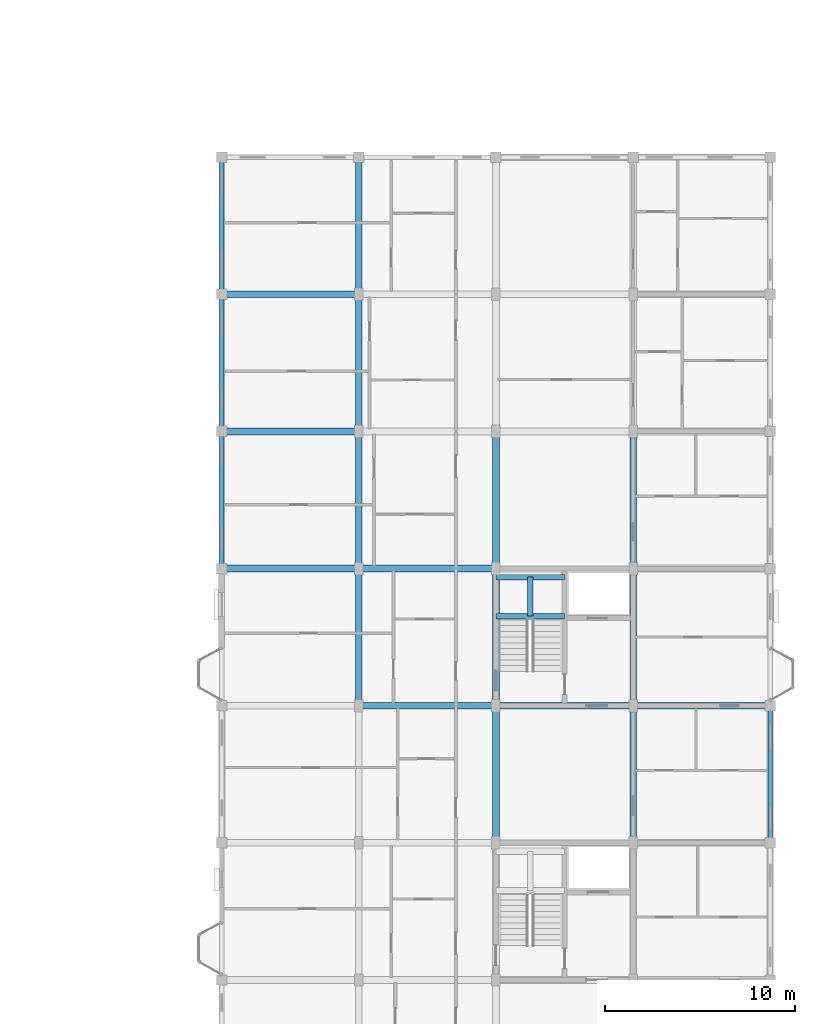
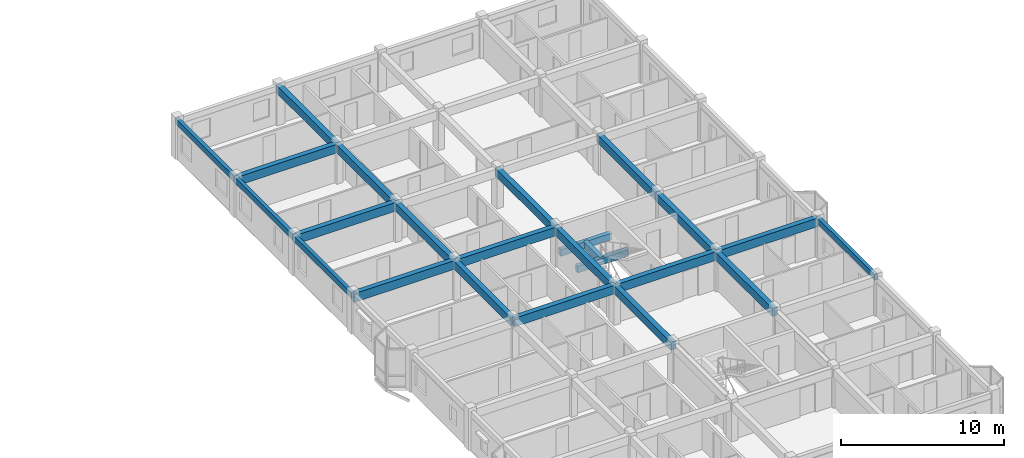
# One storey, part 29 of 77: 24 beams.
"""IFC4 building model written with IfcOpenShell, lengths in metres."""

from ifc_helpers import new_model, si_unit, direction, frame, origin, origin_2d, place, context, subcontext, project, spatial, rectangle, extrude, material, material_profile, profile_set, type_object, element, save


model = new_model("IFC4")

# Units and contexts
model_context = context("Model", 3, precision=1e-05, world=origin(), true_north=direction((0.0, 1.0)))
body_context = subcontext(model_context, "Body", "Model", "MODEL_VIEW")
ifc_project = project(units=[si_unit("LENGTHUNIT", "METRE"), si_unit("AREAUNIT", "SQUARE_METRE"), si_unit("VOLUMEUNIT", "CUBIC_METRE"), si_unit("PLANEANGLEUNIT", "RADIAN"), si_unit("MASSUNIT", "GRAM", prefix="KILO"), si_unit("THERMODYNAMICTEMPERATUREUNIT", "KELVIN"), si_unit("POWERUNIT", "WATT")], contexts=[model_context])

# Site, building, storey
site_placement = place(None, origin())
site = spatial("IfcSite", under=ifc_project, at=site_placement, CompositionType="ELEMENT")
building_placement = place(site_placement, origin())
building = spatial("IfcBuilding", under=site, at=building_placement, Name="Tavuni Mirador Residences", CompositionType="ELEMENT")
storey_placement = place(building_placement, frame((0.0, 0.0, 17.10009765625)))
storey = spatial("IfcBuildingStorey", under=building, at=storey_placement, Name="L05", CompositionType="ELEMENT", Elevation=17.10009765625)

# Beams
ifc_material = material(Name="Precast concrete C40/50", Category="concrete")
ifc_material_profile_1 = material_profile(ifc_material, rectangle(XDim=0.300048828125, YDim=0.5, at=origin_2d()), Name="PC 300x500", Category="concrete")
ifc_profile_set_1 = profile_set([ifc_material_profile_1], Name="Precast concrete C40/50")
beam_type_1 = type_object("IfcBeamType", Name="BT-B500", PredefinedType="BEAM", material=ifc_profile_set_1)
for number, where, z_axis, x_axis, name in (
    (1, (104.39990234375, 112.699951171875, 1.14501953125), (1.0, 0.0, 0.0), (0.0, 1.0, 0.0), "HLB1-C8-L05"),
    (2, (104.39990234375, 114.75, 1.14501953125), (1.0, 0.0, 0.0), (0.0, 1.0, 0.0), "HLB2-C8-L05"),
):
    element("IfcBeam", number, at=place(storey_placement, frame(where, z_axis=z_axis, x_axis=x_axis)), inside=storey, type_object=beam_type_1, Name=name, PredefinedType="BEAM", context=body_context, shape_type="SweptSolid", body=[
        extrude(rectangle(XDim=0.300048828125, YDim=0.5, at=origin_2d()), origin(), (0.0, 0.0, 1.0), 3.60009765625),
    ])
beam_1_placement = place(storey_placement, frame((106.199951171875, 112.699951171875, 1.14501953125), z_axis=(0.0, 1.0, 0.0), x_axis=(-1.0, 0.0, 0.0)))
element("IfcBeam", 3, at=beam_1_placement, inside=storey, type_object=beam_type_1, Name="HLB3-C8-L05", PredefinedType="BEAM", context=body_context, shape_type="SweptSolid", body=[
    extrude(rectangle(XDim=0.300048828125, YDim=0.5, at=origin_2d()), origin(), (0.0, 0.0, 1.0), 2.050048828125),
])
ifc_material_profile_2 = material_profile(ifc_material, rectangle(XDim=0.35009765625, YDim=0.60009765625, at=origin_2d()), Name="PC 350x600", Category="concrete")
ifc_profile_set_2 = profile_set([ifc_material_profile_2], Name="Precast concrete C40/50")
beam_type_2 = type_object("IfcBeamType", Name="BT-B600", PredefinedType="BEAM", material=ifc_profile_set_2)
for number, where, z_axis, x_axis, name in (
    (4, (97.199951171875, 108.0, 2.58984375), (0.0, 1.0, 0.0), (-1.0, 0.0, 0.0), "BMY-BLK-D-L05-01-03"),
    (5, (97.199951171875, 115.199951171875, 2.58984375), (0.0, 1.0, 0.0), (-1.0, 0.0, 0.0), "BMY-BLK-D-L05-01-04"),
):
    element("IfcBeam", number, at=place(storey_placement, frame(where, z_axis=z_axis, x_axis=x_axis)), inside=storey, type_object=beam_type_2, Name=name, PredefinedType="BEAM", context=body_context, shape_type="SweptSolid", body=[
        extrude(rectangle(XDim=0.35009765625, YDim=0.60009765625, at=origin_2d()), origin(), (0.0, 0.0, 1.0), 7.199951171875),
    ])
beam_2_placement = place(storey_placement, frame((97.199951171875, 122.39990234375, 2.58984375), z_axis=(0.0, 1.0, 0.0), x_axis=(-1.0, 0.0, 0.0)))
element("IfcBeam", 6, at=beam_2_placement, inside=storey, type_object=beam_type_2, Name="BMY-BLK-D-L05-01-05", PredefinedType="BEAM", context=body_context, shape_type="SweptSolid", body=[
    extrude(rectangle(XDim=0.35009765625, YDim=0.60009765625, at=origin_2d()), origin(), (0.0, 0.0, 1.0), 7.2001953125),
])
for number, where, z_axis, x_axis, name in (
    (7, (97.199951171875, 129.60009765625, 2.58984375), (0.0, 1.0, 0.0), (-1.0, 0.0, 0.0), "BMY-BLK-D-L05-01-06"),
    (8, (104.39990234375, 100.800048828125, 2.58984375), (0.0, 1.0, 0.0), (-1.0, 0.0, 0.0), "BMY-BLK-D-L05-02-02"),
    (9, (104.39990234375, 108.0, 2.58984375), (0.0, 1.0, 0.0), (-1.0, 0.0, 0.0), "BMY-BLK-D-L05-02-03"),
    (10, (104.39990234375, 115.199951171875, 2.58984375), (0.0, 1.0, 0.0), (-1.0, 0.0, 0.0), "BMY-BLK-D-L05-02-04"),
    (11, (111.60009765625, 100.800048828125, 2.58984375), (0.0, 1.0, 0.0), (-1.0, 0.0, 0.0), "BMY-BLK-D-L05-03-02"),
    (12, (111.60009765625, 108.0, 2.58984375), (0.0, 1.0, 0.0), (-1.0, 0.0, 0.0), "BMY-BLK-D-L05-03-03"),
    (13, (111.60009765625, 115.199951171875, 2.58984375), (0.0, 1.0, 0.0), (-1.0, 0.0, 0.0), "BMY-BLK-D-L05-03-04"),
):
    element("IfcBeam", number, at=place(storey_placement, frame(where, z_axis=z_axis, x_axis=x_axis)), inside=storey, type_object=beam_type_2, Name=name, PredefinedType="BEAM", context=body_context, shape_type="SweptSolid", body=[
        extrude(rectangle(XDim=0.35009765625, YDim=0.60009765625, at=origin_2d()), origin(), (0.0, 0.0, 1.0), 7.199951171875),
    ])
ifc_material_profile_3 = material_profile(ifc_material, rectangle(XDim=0.35009765625, YDim=0.64990234375, at=origin_2d()), Name="PC 350x650", Category="concrete")
ifc_profile_set_3 = profile_set([ifc_material_profile_3], Name="Precast concrete C40/50")
beam_type_3 = type_object("IfcBeamType", Name="BT-B650", PredefinedType="BEAM", material=ifc_profile_set_3)
beam_3_placement = place(storey_placement, frame((97.199951171875, 108.0, 2.56494140625), z_axis=(1.0, 0.0, 0.0), x_axis=(0.0, 1.0, 0.0)))
element("IfcBeam", 14, at=beam_3_placement, inside=storey, type_object=beam_type_3, Name="BMX-BLK-D-L05-01-03", PredefinedType="BEAM", context=body_context, shape_type="SweptSolid", body=[
    extrude(rectangle(XDim=0.35009765625, YDim=0.64990234375, at=origin_2d()), origin(), (0.0, 0.0, 1.0), 7.199951171875),
])
beam_4_placement = place(storey_placement, frame((104.39990234375, 108.0, 2.56494140625), z_axis=(1.0, 0.0, 0.0), x_axis=(0.0, 1.0, 0.0)))
element("IfcBeam", 15, at=beam_4_placement, inside=storey, type_object=beam_type_3, Name="BMX-BLK-D-L05-02-03", PredefinedType="BEAM", context=body_context, shape_type="SweptSolid", body=[
    extrude(rectangle(XDim=0.35009765625, YDim=0.64990234375, at=origin_2d()), origin(), (0.0, 0.0, 1.0), 7.2001953125),
])
for number, where, z_axis, x_axis, name in (
    (16, (111.60009765625, 108.0, 2.56494140625), (1.0, 0.0, 0.0), (0.0, 1.0, 0.0), "BMX-BLK-D-L05-03-03"),
    (17, (90.0, 115.199951171875, 2.56494140625), (1.0, 0.0, 0.0), (0.0, 1.0, 0.0), "BMX-BLK-D-L05-00-04"),
    (18, (97.199951171875, 115.199951171875, 2.56494140625), (1.0, 0.0, 0.0), (0.0, 1.0, 0.0), "BMX-BLK-D-L05-01-04"),
    (19, (90.0, 122.39990234375, 2.56494140625), (1.0, 0.0, 0.0), (0.0, 1.0, 0.0), "BMX-BLK-D-L05-00-05"),
    (20, (90.0, 129.60009765625, 2.56494140625), (1.0, 0.0, 0.0), (0.0, 1.0, 0.0), "BMX-BLK-D-L05-00-06"),
):
    element("IfcBeam", number, at=place(storey_placement, frame(where, z_axis=z_axis, x_axis=x_axis)), inside=storey, type_object=beam_type_3, Name=name, PredefinedType="BEAM", context=body_context, shape_type="SweptSolid", body=[
        extrude(rectangle(XDim=0.35009765625, YDim=0.64990234375, at=origin_2d()), origin(), (0.0, 0.0, 1.0), 7.199951171875),
    ])
ifc_material_profile_4 = material_profile(ifc_material, rectangle(XDim=0.25, YDim=0.419921875, at=origin_2d()), Name="PC 250x420", Category="concrete")
ifc_profile_set_4 = profile_set([ifc_material_profile_4], Name="Precast concrete C40/50")
beam_type_4 = type_object("IfcBeamType", Name="BT-SP420", PredefinedType="SPANDREL", material=ifc_profile_set_4)
beam_5_placement = place(storey_placement, frame((90.0, 115.199951171875, 2.679931640625), z_axis=(0.0, 1.0, 0.0), x_axis=(-1.0, 0.0, 0.0)))
element("IfcBeam", 21, at=beam_5_placement, inside=storey, type_object=beam_type_4, Name="BMY-BLK-D-L05-00-04", PredefinedType="SPANDREL", context=body_context, shape_type="SweptSolid", body=[
    extrude(rectangle(XDim=0.25, YDim=0.419921875, at=origin_2d()), origin(), (0.0, 0.0, 1.0), 7.199951171875),
])
beam_6_placement = place(storey_placement, frame((90.0, 122.39990234375, 2.679931640625), z_axis=(0.0, 1.0, 0.0), x_axis=(-1.0, 0.0, 0.0)))
element("IfcBeam", 22, at=beam_6_placement, inside=storey, type_object=beam_type_4, Name="BMY-BLK-D-L05-00-05", PredefinedType="SPANDREL", context=body_context, shape_type="SweptSolid", body=[
    extrude(rectangle(XDim=0.25, YDim=0.419921875, at=origin_2d()), origin(), (0.0, 0.0, 1.0), 7.2001953125),
])
for number, where, z_axis, x_axis, name in (
    (23, (90.0, 129.60009765625, 2.679931640625), (0.0, 1.0, 0.0), (-1.0, 0.0, 0.0), "BMY-BLK-D-L05-00-06"),
    (24, (118.800048828125, 100.800048828125, 2.679931640625), (0.0, 1.0, 0.0), (-1.0, 0.0, 0.0), "BMY-BLK-D-L05-04-02"),
):
    element("IfcBeam", number, at=place(storey_placement, frame(where, z_axis=z_axis, x_axis=x_axis)), inside=storey, type_object=beam_type_4, Name=name, PredefinedType="SPANDREL", context=body_context, shape_type="SweptSolid", body=[
        extrude(rectangle(XDim=0.25, YDim=0.419921875, at=origin_2d()), origin(), (0.0, 0.0, 1.0), 7.199951171875),
    ])

save(model, "model.ifc")
